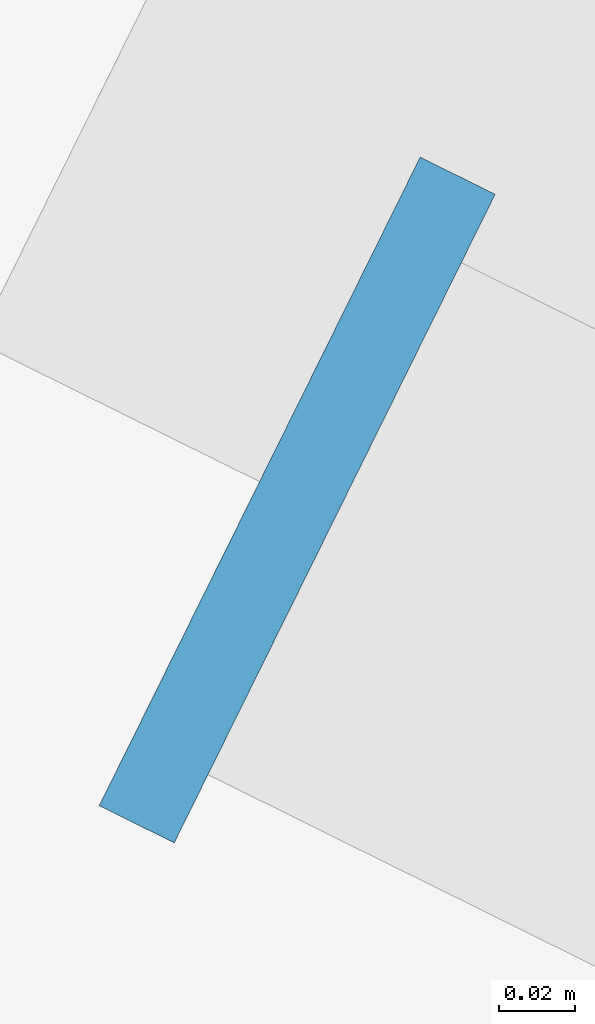
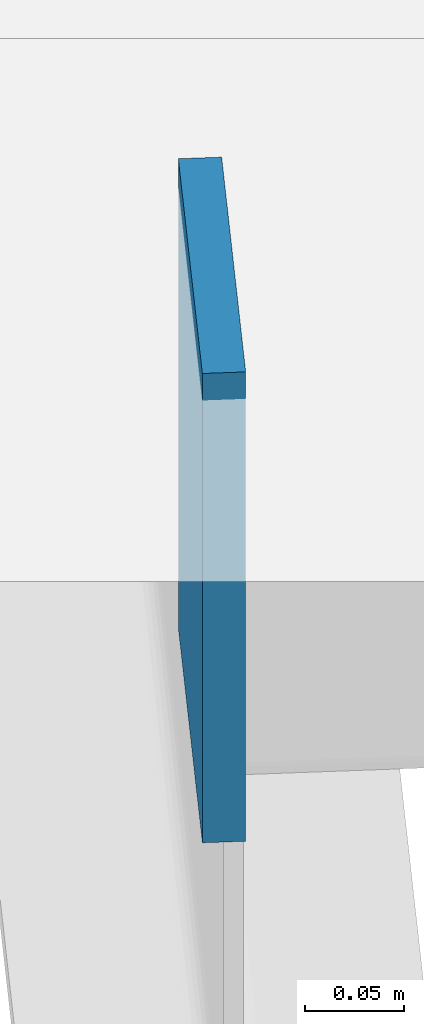
# One storey, part 25 of 51: 1 plate.
"""IFC4 building model written with IfcOpenShell, lengths in metres."""

from ifc_helpers import new_model, si_unit, direction, frame, origin, origin_2d, place, context, subcontext, project, spatial, rectangle, extrude, material, layer, layer_set, type_object, element, save


model = new_model("IFC4")

# Units and contexts
model_context = context("Model", 3, precision=1e-05, world=origin(), true_north=direction((0.0, 1.0)))
body_context = subcontext(model_context, "Body", "Model", "MODEL_VIEW")
ifc_project = project(units=[si_unit("LENGTHUNIT", "METRE"), si_unit("AREAUNIT", "SQUARE_METRE"), si_unit("VOLUMEUNIT", "CUBIC_METRE"), si_unit("PLANEANGLEUNIT", "RADIAN"), si_unit("MASSUNIT", "GRAM", prefix="KILO")], contexts=[model_context])

# Site, building, storey
site_placement = place(None, origin())
site = spatial("IfcSite", under=ifc_project, at=site_placement, CompositionType="ELEMENT")
building_placement = place(site_placement, origin())
building = spatial("IfcBuilding", under=site, at=building_placement, Name="Wrenclough Park School", CompositionType="ELEMENT")
storey_placement = place(building_placement, frame((0.0, 0.0, 16.800048828125)))
storey = spatial("IfcBuildingStorey", under=building, at=storey_placement, Name="L04", CompositionType="ELEMENT", Elevation=16.800048828125)

# Plate
ifc_material = material(Name="Structural steel S355", Category="steel")
ifc_layer = layer(ifc_material, 0.2900390625)
ifc_layer_set = layer_set([ifc_layer], Name="Structural steel S355")
plate_type = type_object("IfcPlateType", Name="STR-PL-EP250", PredefinedType="SHEET", material=ifc_layer_set)
plate_placement = place(storey_placement, frame((128.881591796875, 108.0966796875, -0.5), z_axis=(0.0, 0.0, 1.0), x_axis=(0.896254315973, -0.443540529265, 0.0)))
element("IfcPlate", 1, at=plate_placement, inside=storey, type_object=plate_type, Name="W45 eave fascia R1 start sealing end-cap plate", PredefinedType="SHEET", context=body_context, shape_type="SweptSolid", body=[
    extrude(rectangle(XDim=0.02197265625, YDim=0.18994140625, at=origin_2d()), origin(), (0.0, 0.0, 1.0), 0.2900390625),
])

save(model, "model.ifc")
